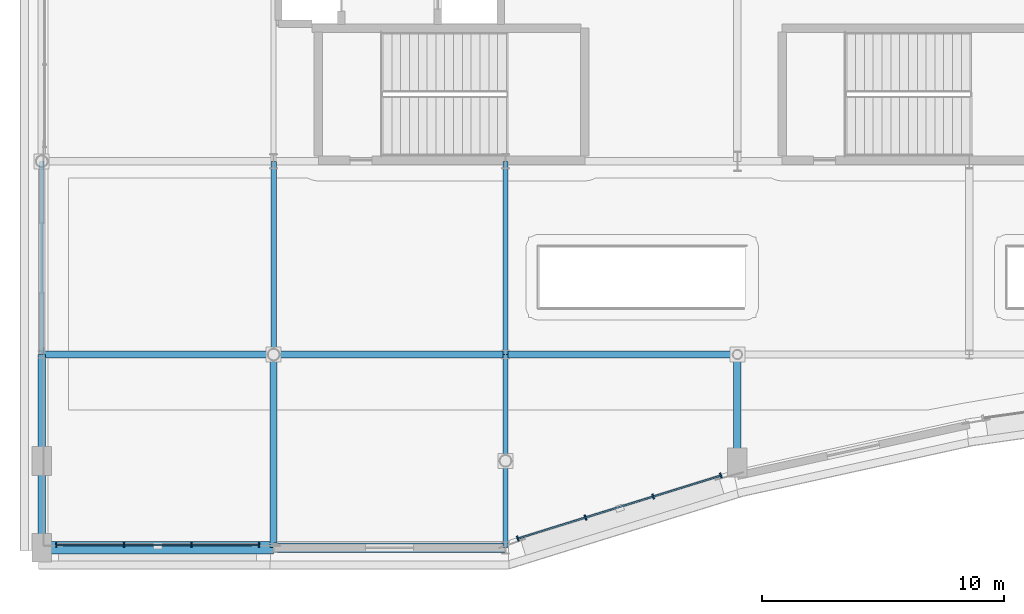
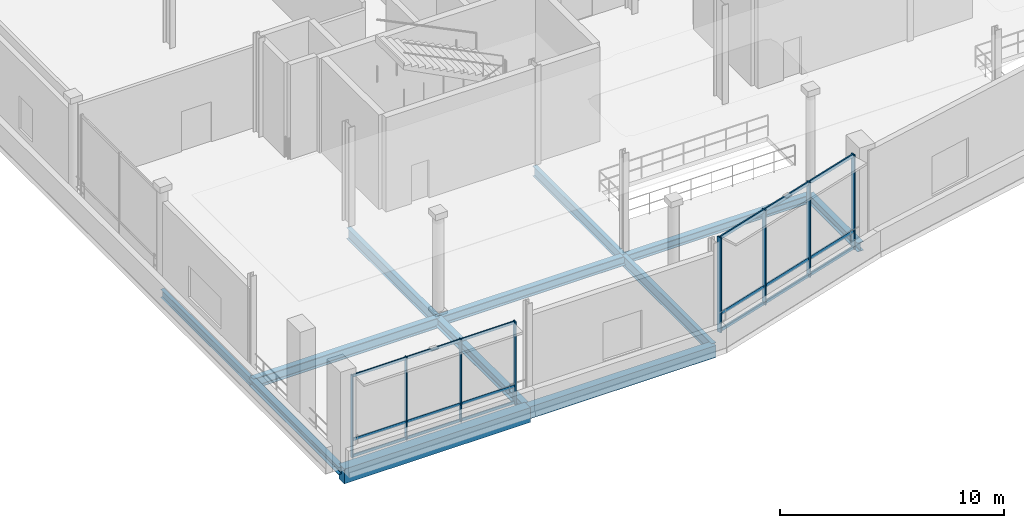
# One storey, part 27 of 129: 14 members, 12 beams, 2 elements without a shape of their own.
"""IFC4 building model written with IfcOpenShell, lengths in metres."""

from ifc_helpers import new_model, si_unit, direction, frame, origin, origin_2d, place, context, subcontext, project, spatial, rectangle, i_section, extrude, material, material_profile, profile_set, type_object, element, aggregate, save


model = new_model("IFC4")

# Units and contexts
model_context = context("Model", 3, precision=1e-05, world=origin(), true_north=direction((0.0, 1.0)))
body_context = subcontext(model_context, "Body", "Model", "MODEL_VIEW")
ifc_project = project(units=[si_unit("LENGTHUNIT", "METRE"), si_unit("AREAUNIT", "SQUARE_METRE"), si_unit("VOLUMEUNIT", "CUBIC_METRE"), si_unit("PLANEANGLEUNIT", "RADIAN"), si_unit("MASSUNIT", "GRAM", prefix="KILO")], contexts=[model_context])

# Site, building, storey
site_placement = place(None, origin())
site = spatial("IfcSite", under=ifc_project, at=site_placement, CompositionType="ELEMENT")
building_placement = place(site_placement, origin())
building = spatial("IfcBuilding", under=site, at=building_placement, Name="Danafjord Basin Convention Centre", CompositionType="ELEMENT")
storey_placement = place(building_placement, frame((0.0, 0.0, 6.0)))
storey = spatial("IfcBuildingStorey", under=building, at=storey_placement, Name="L01", CompositionType="ELEMENT", Elevation=6.0)

# Beams
ifc_material_1 = material(Name="Steel S355", Category="steel")
ifc_material_profile_1 = material_profile(ifc_material_1, i_section(OverallWidth=0.300048828125, OverallDepth=0.489990234375, WebThickness=0.011962890625, FlangeThickness=0.02294921875, FilletRadius=0.027099609375, at=origin_2d()), Name="HEA 500")
ifc_profile_set_1 = profile_set([ifc_material_profile_1], Name="Steel S355")
beam_type_1 = type_object("IfcBeamType", Name="BEAM-BM-HEA500", PredefinedType="BEAM", material=ifc_profile_set_1)
beam_1_placement = place(storey_placement, frame((28.800048828125, 3.530029296875, -0.47509765625), z_axis=(0.0, 1.0, 0.0), x_axis=(-1.0, 0.0, 0.0)))
element("IfcBeam", 1, at=beam_1_placement, inside=storey, type_object=beam_type_1, Name="L01 radial harbour arc girder", PredefinedType="BEAM", context=body_context, shape_type="SweptSolid", body=[
    extrude(i_section(OverallWidth=0.300048828125, OverallDepth=0.489990234375, WebThickness=0.011962890625, FlangeThickness=0.02294921875, FilletRadius=0.027099609375, at=origin_2d()), origin(), (0.0, 0.0, 1.0), 4.469970703125),
])
ifc_material_profile_2 = material_profile(ifc_material_1, i_section(OverallWidth=0.300048828125, OverallDepth=0.449951171875, WebThickness=0.013916015625, FlangeThickness=0.02587890625, FilletRadius=0.027099609375, at=origin_2d()), Name="HEB 450")
ifc_profile_set_2 = profile_set([ifc_material_profile_2], Name="Steel S355")
beam_type_2 = type_object("IfcBeamType", Name="BEAM-BM-HEB450", PredefinedType="BEAM", material=ifc_profile_set_2)
beam_2_placement = place(storey_placement, frame((19.199951171875, 8.0, -0.455078125), z_axis=(1.0, 0.0, 0.0), x_axis=(0.0, 1.0, 0.0)))
element("IfcBeam", 2, at=beam_2_placement, inside=storey, type_object=beam_type_2, Name="L01 girder BM-HEB450", PredefinedType="BEAM", context=body_context, shape_type="SweptSolid", body=[
    extrude(i_section(OverallWidth=0.300048828125, OverallDepth=0.449951171875, WebThickness=0.013916015625, FlangeThickness=0.02587890625, FilletRadius=0.027099609375, at=origin_2d()), origin(), (0.0, 0.0, 1.0), 9.60009765625),
])
ifc_material_profile_3 = material_profile(ifc_material_1, i_section(OverallWidth=0.300048828125, OverallDepth=0.5, WebThickness=0.014404296875, FlangeThickness=0.028076171875, FilletRadius=0.027099609375, at=origin_2d()), Name="HEB 500")
ifc_profile_set_3 = profile_set([ifc_material_profile_3], Name="Steel S355")
beam_type_3 = type_object("IfcBeamType", Name="BEAM-BM-HEB500", PredefinedType="BEAM", material=ifc_profile_set_3)
beam_3_placement = place(storey_placement, frame((9.60009765625, 8.0, -0.47998046875), z_axis=(1.0, 0.0, 0.0), x_axis=(0.0, 1.0, 0.0)))
element("IfcBeam", 3, at=beam_3_placement, inside=storey, type_object=beam_type_3, Name="L01 girder BM-HEB500", PredefinedType="BEAM", context=body_context, shape_type="SweptSolid", body=[
    extrude(i_section(OverallWidth=0.300048828125, OverallDepth=0.5, WebThickness=0.014404296875, FlangeThickness=0.028076171875, FilletRadius=0.027099609375, at=origin_2d()), origin(), (0.0, 0.0, 1.0), 9.599853515625),
])
beam_4_placement = place(storey_placement, frame((9.60009765625, 0.0, -0.47998046875), z_axis=(0.0, 1.0, 0.0), x_axis=(-1.0, 0.0, 0.0)))
element("IfcBeam", 4, at=beam_4_placement, inside=storey, type_object=beam_type_3, Name="L01 transverse girder BM-HEB500", PredefinedType="BEAM", context=body_context, shape_type="SweptSolid", body=[
    extrude(i_section(OverallWidth=0.300048828125, OverallDepth=0.5, WebThickness=0.014404296875, FlangeThickness=0.028076171875, FilletRadius=0.027099609375, at=origin_2d()), origin(), (0.0, 0.0, 1.0), 8.0),
])
ifc_material_profile_4 = material_profile(ifc_material_1, i_section(OverallWidth=0.300048828125, OverallDepth=0.550048828125, WebThickness=0.014892578125, FlangeThickness=0.029052734375, FilletRadius=0.027099609375, at=origin_2d()), Name="HEB 550")
ifc_profile_set_4 = profile_set([ifc_material_profile_4], Name="Steel S355")
beam_type_4 = type_object("IfcBeamType", Name="BEAM-BM-HEB550", PredefinedType="BEAM", material=ifc_profile_set_4)
beam_5_placement = place(storey_placement, frame((0.0, 8.0, -0.5048828125), z_axis=(1.0, 0.0, 0.0), x_axis=(0.0, 1.0, 0.0)))
element("IfcBeam", 5, at=beam_5_placement, inside=storey, type_object=beam_type_4, Name="L01 girder BM-HEB550", PredefinedType="BEAM", context=body_context, shape_type="SweptSolid", body=[
    extrude(i_section(OverallWidth=0.300048828125, OverallDepth=0.550048828125, WebThickness=0.014892578125, FlangeThickness=0.029052734375, FilletRadius=0.027099609375, at=origin_2d()), origin(), (0.0, 0.0, 1.0), 9.60009765625),
])
ifc_material_profile_5 = material_profile(ifc_material_1, i_section(OverallWidth=0.2099609375, OverallDepth=0.550048828125, WebThickness=0.010986328125, FlangeThickness=0.01708984375, FilletRadius=0.02392578125, at=origin_2d()), Name="IPE 550")
ifc_profile_set_5 = profile_set([ifc_material_profile_5], Name="Steel S355")
beam_type_5 = type_object("IfcBeamType", Name="BEAM-BM-IPE550", PredefinedType="BEAM", material=ifc_profile_set_5)
beam_6_placement = place(storey_placement, frame((19.199951171875, 8.0, -0.5048828125), z_axis=(0.0, 1.0, 0.0), x_axis=(-1.0, 0.0, 0.0)))
element("IfcBeam", 6, at=beam_6_placement, inside=storey, type_object=beam_type_5, Name="L01 transverse girder BM-IPE550", PredefinedType="BEAM", context=body_context, shape_type="SweptSolid", body=[
    extrude(i_section(OverallWidth=0.2099609375, OverallDepth=0.550048828125, WebThickness=0.010986328125, FlangeThickness=0.01708984375, FilletRadius=0.02392578125, at=origin_2d()), origin(), (0.0, 0.0, 1.0), 8.0),
])
ifc_material_profile_6 = material_profile(ifc_material_1, i_section(OverallWidth=0.219970703125, OverallDepth=0.60009765625, WebThickness=0.011962890625, FlangeThickness=0.01904296875, FilletRadius=0.02392578125, at=origin_2d()), Name="IPE 600")
ifc_profile_set_6 = profile_set([ifc_material_profile_6], Name="Steel S355")
beam_type_6 = type_object("IfcBeamType", Name="BEAM-BM-IPE600", PredefinedType="BEAM", material=ifc_profile_set_6)
for number, where, z_axis, x_axis, name in (
    (7, (9.60009765625, 8.0, -0.530029296875), (0.0, 1.0, 0.0), (-1.0, 0.0, 0.0), "L01 transverse girder BM-IPE600"),
    (8, (19.199951171875, 0.0, -0.530029296875), (0.0, 1.0, 0.0), (-1.0, 0.0, 0.0), "L01 transverse girder BM-IPE600"),
):
    element("IfcBeam", number, at=place(storey_placement, frame(where, z_axis=z_axis, x_axis=x_axis)), inside=storey, type_object=beam_type_6, Name=name, PredefinedType="BEAM", context=body_context, shape_type="SweptSolid", body=[
        extrude(i_section(OverallWidth=0.219970703125, OverallDepth=0.60009765625, WebThickness=0.011962890625, FlangeThickness=0.01904296875, FilletRadius=0.02392578125, at=origin_2d()), origin(), (0.0, 0.0, 1.0), 8.0),
    ])
ifc_material_profile_7 = material_profile(ifc_material_1, i_section(OverallWidth=0.300048828125, OverallDepth=0.39990234375, WebThickness=0.013427734375, FlangeThickness=0.02392578125, FilletRadius=0.027099609375, at=origin_2d()), Name="HEB 400")
ifc_profile_set_7 = profile_set([ifc_material_profile_7], Name="Steel S355")
beam_type_7 = type_object("IfcBeamType", Name="BEAM-SP-HEB400", PredefinedType="SPANDREL", material=ifc_profile_set_7)
beam_7_placement = place(storey_placement, frame((0.0, 0.0, -0.429931640625), z_axis=(0.0, 1.0, 0.0), x_axis=(-1.0, 0.0, 0.0)))
element("IfcBeam", 9, at=beam_7_placement, inside=storey, type_object=beam_type_7, Name="L01 transverse girder SP-HEB400", PredefinedType="SPANDREL", context=body_context, shape_type="SweptSolid", body=[
    extrude(i_section(OverallWidth=0.300048828125, OverallDepth=0.39990234375, WebThickness=0.013427734375, FlangeThickness=0.02392578125, FilletRadius=0.027099609375, at=origin_2d()), origin(), (0.0, 0.0, 1.0), 8.0),
])
ifc_material_profile_8 = material_profile(ifc_material_1, i_section(OverallWidth=0.18994140625, OverallDepth=0.449951171875, WebThickness=0.009521484375, FlangeThickness=0.0146484375, FilletRadius=0.02099609375, at=origin_2d()), Name="IPE 450")
ifc_profile_set_8 = profile_set([ifc_material_profile_8], Name="Steel S355")
beam_type_8 = type_object("IfcBeamType", Name="BEAM-SP-IPE450", PredefinedType="SPANDREL", material=ifc_profile_set_8)
beam_8_placement = place(storey_placement, frame((0.0, 8.0, -0.455078125), z_axis=(0.0, 1.0, 0.0), x_axis=(-1.0, 0.0, 0.0)))
element("IfcBeam", 10, at=beam_8_placement, inside=storey, type_object=beam_type_8, Name="L01 transverse girder SP-IPE450", PredefinedType="SPANDREL", context=body_context, shape_type="SweptSolid", body=[
    extrude(i_section(OverallWidth=0.18994140625, OverallDepth=0.449951171875, WebThickness=0.009521484375, FlangeThickness=0.0146484375, FilletRadius=0.02099609375, at=origin_2d()), origin(), (0.0, 0.0, 1.0), 8.0),
])
ifc_material_2 = material(Name="Precast concrete C45/55", Category="concrete")
ifc_material_profile_9 = material_profile(ifc_material_2, rectangle(XDim=0.39990234375, YDim=0.64990234375, at=origin_2d()), Name="PCB 400x650")
ifc_profile_set_9 = profile_set([ifc_material_profile_9], Name="Precast concrete C45/55")
beam_type_9 = type_object("IfcBeamType", Name="BEAM-SP-PCB650", PredefinedType="SPANDREL", material=ifc_profile_set_9)
beam_9_placement = place(storey_placement, frame((9.60009765625, 0.0, -0.554931640625), z_axis=(1.0, 0.0, 0.0), x_axis=(0.0, 1.0, 0.0)))
element("IfcBeam", 11, at=beam_9_placement, inside=storey, type_object=beam_type_9, Name="L01 girder SP-PCB650", PredefinedType="SPANDREL", context=body_context, shape_type="SweptSolid", body=[
    extrude(rectangle(XDim=0.39990234375, YDim=0.64990234375, at=origin_2d()), origin(), (0.0, 0.0, 1.0), 9.599853515625),
])
ifc_material_profile_10 = material_profile(ifc_material_2, rectangle(XDim=0.5, YDim=0.800048828125, at=origin_2d()), Name="PCB 500x800")
ifc_profile_set_10 = profile_set([ifc_material_profile_10], Name="Precast concrete C45/55")
beam_type_10 = type_object("IfcBeamType", Name="BEAM-SP-PCB800", PredefinedType="SPANDREL", material=ifc_profile_set_10)
beam_10_placement = place(storey_placement, frame((0.0, 0.0, -0.6298828125), z_axis=(1.0, 0.0, 0.0), x_axis=(0.0, 1.0, 0.0)))
element("IfcBeam", 12, at=beam_10_placement, inside=storey, type_object=beam_type_10, Name="L01 girder SP-PCB800", PredefinedType="SPANDREL", context=body_context, shape_type="SweptSolid", body=[
    extrude(rectangle(XDim=0.5, YDim=0.800048828125, at=origin_2d()), origin(), (0.0, 0.0, 1.0), 9.60009765625),
])

# Curtain wall, members
ifc_material_3 = material(Name="Anodised aluminium and triple glazing", Category="aluminium")
curtain_wall_type = type_object("IfcCurtainWallType", Name="CW-CW-HARB", PredefinedType="NOTDEFINED", material=ifc_material_3)
curtain_wall_1_placement = place(storey_placement, origin())
curtain_wall_1 = element("IfcCurtainWall", 13, at=curtain_wall_1_placement, inside=storey, type_object=curtain_wall_type, Name="L01 CW-HARB unitised curtain wall bay 16", PredefinedType="NOTDEFINED")
ifc_material_4 = material(Name="Anodised aluminium EN AW-6060", Category="aluminium")
ifc_material_profile_11 = material_profile(ifc_material_4, rectangle(XDim=0.06005859375, YDim=0.179931640625, at=origin_2d()), Name="MULL 60x180")
ifc_profile_set_11 = profile_set([ifc_material_profile_11], Name="Anodised aluminium EN AW-6060")
member_type_1 = type_object("IfcMemberType", Name="MEM-ML-180", PredefinedType="MULLION", material=ifc_profile_set_11)
member_1_placement = place(storey_placement, frame((0.60009765625, 0.1201171875, -0.02490234375), z_axis=(0.0, 0.0, 1.0), x_axis=(1.0, 0.0, 0.0)))
member_1 = element("IfcMember", 14, at=member_1_placement, type_object=member_type_1, Name="CW-L01-016 mullion 1", PredefinedType="MULLION", context=body_context, shape_type="SweptSolid", body=[
    extrude(rectangle(XDim=0.06005859375, YDim=0.179931640625, at=origin_2d()), origin(), (0.0, 0.0, 1.0), 4.514892578125),
])
member_2_placement = place(storey_placement, frame((3.39990234375, 0.1201171875, -0.02490234375), z_axis=(0.0, 0.0, 1.0), x_axis=(1.0, 0.0, 0.0)))
member_2 = element("IfcMember", 15, at=member_2_placement, type_object=member_type_1, Name="CW-L01-016 mullion 2", PredefinedType="MULLION", context=body_context, shape_type="SweptSolid", body=[
    extrude(rectangle(XDim=0.06005859375, YDim=0.179931640625, at=origin_2d()), origin(), (0.0, 0.0, 1.0), 4.514892578125),
])
member_3_placement = place(storey_placement, frame((6.199951171875, 0.1201171875, -0.02490234375), z_axis=(0.0, 0.0, 1.0), x_axis=(1.0, 0.0, 0.0)))
member_3 = element("IfcMember", 16, at=member_3_placement, type_object=member_type_1, Name="CW-L01-016 mullion 3", PredefinedType="MULLION", context=body_context, shape_type="SweptSolid", body=[
    extrude(rectangle(XDim=0.06005859375, YDim=0.179931640625, at=origin_2d()), origin(), (0.0, 0.0, 1.0), 4.514892578125),
])
member_4_placement = place(storey_placement, frame((9.0, 0.1201171875, -0.02490234375), z_axis=(0.0, 0.0, 1.0), x_axis=(1.0, 0.0, 0.0)))
member_4 = element("IfcMember", 17, at=member_4_placement, type_object=member_type_1, Name="CW-L01-016 mullion 4", PredefinedType="MULLION", context=body_context, shape_type="SweptSolid", body=[
    extrude(rectangle(XDim=0.06005859375, YDim=0.179931640625, at=origin_2d()), origin(), (0.0, 0.0, 1.0), 4.514892578125),
])

curtain_wall_2_placement = place(storey_placement, origin())
curtain_wall_2 = element("IfcCurtainWall", 18, at=curtain_wall_2_placement, inside=storey, type_object=curtain_wall_type, Name="L01 CW-HARB unitised curtain wall bay 17", PredefinedType="NOTDEFINED")
ifc_material_profile_12 = material_profile(ifc_material_4, rectangle(XDim=0.06494140625, YDim=0.219970703125, at=origin_2d()), Name="MULL 65x220")
ifc_profile_set_12 = profile_set([ifc_material_profile_12], Name="Anodised aluminium EN AW-6060")
member_type_2 = type_object("IfcMemberType", Name="MEM-ML-220", PredefinedType="MULLION", material=ifc_profile_set_12)
member_5_placement = place(storey_placement, frame((19.710205078125, 0.38037109375, -0.02490234375), z_axis=(0.0, 0.0, 1.0), x_axis=(0.955044712757, 0.296461796249, 0.0)))
member_5 = element("IfcMember", 19, at=member_5_placement, type_object=member_type_2, Name="CW-L01-017 mullion 1", PredefinedType="MULLION", context=body_context, shape_type="SweptSolid", body=[
    extrude(rectangle(XDim=0.06494140625, YDim=0.219970703125, at=origin_2d()), origin(), (0.0, 0.0, 1.0), 5.184814453125),
])
member_6_placement = place(storey_placement, frame((22.51220703125, 1.250244140625, -0.02490234375), z_axis=(0.0, 0.0, 1.0), x_axis=(0.955044712757, 0.296461796249, 0.0)))
member_6 = element("IfcMember", 20, at=member_6_placement, type_object=member_type_2, Name="CW-L01-017 mullion 2", PredefinedType="MULLION", context=body_context, shape_type="SweptSolid", body=[
    extrude(rectangle(XDim=0.06494140625, YDim=0.219970703125, at=origin_2d()), origin(), (0.0, 0.0, 1.0), 5.184814453125),
])
member_7_placement = place(storey_placement, frame((25.314208984375, 2.1201171875, -0.02490234375), z_axis=(0.0, 0.0, 1.0), x_axis=(0.955044712757, 0.296461796249, 0.0)))
member_7 = element("IfcMember", 21, at=member_7_placement, type_object=member_type_2, Name="CW-L01-017 mullion 3", PredefinedType="MULLION", context=body_context, shape_type="SweptSolid", body=[
    extrude(rectangle(XDim=0.06494140625, YDim=0.219970703125, at=origin_2d()), origin(), (0.0, 0.0, 1.0), 5.184814453125),
])
member_8_placement = place(storey_placement, frame((28.116455078125, 2.98974609375, -0.02490234375), z_axis=(0.0, 0.0, 1.0), x_axis=(0.955044712757, 0.296461796249, 0.0)))
member_8 = element("IfcMember", 22, at=member_8_placement, type_object=member_type_2, Name="CW-L01-017 mullion 4", PredefinedType="MULLION", context=body_context, shape_type="SweptSolid", body=[
    extrude(rectangle(XDim=0.06494140625, YDim=0.219970703125, at=origin_2d()), origin(), (0.0, 0.0, 1.0), 5.184814453125),
])

# Member
ifc_material_profile_13 = material_profile(ifc_material_4, rectangle(XDim=0.06005859375, YDim=0.14990234375, at=origin_2d()), Name="TRAN 60x150")
ifc_profile_set_13 = profile_set([ifc_material_profile_13], Name="Anodised aluminium EN AW-6060")
member_type_3 = type_object("IfcMemberType", Name="MEM-TR-150", PredefinedType="USERDEFINED", material=ifc_profile_set_13)
member_9_placement = place(storey_placement, frame((0.60009765625, 0.1201171875, 0.06005859375), z_axis=(1.0, 0.0, 0.0), x_axis=(0.0, 1.0, 0.0)))
member_9 = element("IfcMember", 23, at=member_9_placement, type_object=member_type_3, Name="CW-L01-016 transom 1", ObjectType="TRANSOM", PredefinedType="USERDEFINED", context=body_context, shape_type="SweptSolid", body=[
    extrude(rectangle(XDim=0.06005859375, YDim=0.14990234375, at=origin_2d()), origin(), (0.0, 0.0, 1.0), 8.39990234375),
])

member_10_placement = place(storey_placement, frame((0.60009765625, 0.1201171875, 0.949951171875), z_axis=(1.0, 0.0, 0.0), x_axis=(0.0, 1.0, 0.0)))
member_10 = element("IfcMember", 24, at=member_10_placement, type_object=member_type_3, Name="CW-L01-016 transom 2", ObjectType="TRANSOM", PredefinedType="USERDEFINED", context=body_context, shape_type="SweptSolid", body=[
    extrude(rectangle(XDim=0.06005859375, YDim=0.14990234375, at=origin_2d()), origin(), (0.0, 0.0, 1.0), 8.39990234375),
])

member_11_placement = place(storey_placement, frame((0.60009765625, 0.1201171875, 4.419921875), z_axis=(1.0, 0.0, 0.0), x_axis=(0.0, 1.0, 0.0)))
member_11 = element("IfcMember", 25, at=member_11_placement, type_object=member_type_3, Name="CW-L01-016 transom 3", ObjectType="TRANSOM", PredefinedType="USERDEFINED", context=body_context, shape_type="SweptSolid", body=[
    extrude(rectangle(XDim=0.06005859375, YDim=0.14990234375, at=origin_2d()), origin(), (0.0, 0.0, 1.0), 8.39990234375),
])

aggregate(curtain_wall_1, [member_1, member_2, member_3, member_4, member_9, member_10, member_11])

ifc_material_profile_14 = material_profile(ifc_material_4, rectangle(XDim=0.06494140625, YDim=0.18994140625, at=origin_2d()), Name="TRAN 65x190")
ifc_profile_set_14 = profile_set([ifc_material_profile_14], Name="Anodised aluminium EN AW-6060")
member_type_4 = type_object("IfcMemberType", Name="MEM-TR-190", PredefinedType="USERDEFINED", material=ifc_profile_set_14)
member_12_placement = place(storey_placement, frame((19.710205078125, 0.38037109375, 0.06005859375), z_axis=(0.955046806958, 0.296455049744, 0.0), x_axis=(-0.296455049744, 0.955046806958, 0.0)))
member_12 = element("IfcMember", 26, at=member_12_placement, type_object=member_type_4, Name="CW-L01-017 transom 1", ObjectType="TRANSOM", PredefinedType="USERDEFINED", context=body_context, shape_type="SweptSolid", body=[
    extrude(rectangle(XDim=0.06494140625, YDim=0.18994140625, at=origin_2d()), origin(), (0.0, 0.0, 1.0), 8.802001953125),
])

member_13_placement = place(storey_placement, frame((19.710205078125, 0.38037109375, 0.949951171875), z_axis=(0.955046806958, 0.296455049744, 0.0), x_axis=(-0.296455049744, 0.955046806958, 0.0)))
member_13 = element("IfcMember", 27, at=member_13_placement, type_object=member_type_4, Name="CW-L01-017 transom 2", ObjectType="TRANSOM", PredefinedType="USERDEFINED", context=body_context, shape_type="SweptSolid", body=[
    extrude(rectangle(XDim=0.06494140625, YDim=0.18994140625, at=origin_2d()), origin(), (0.0, 0.0, 1.0), 8.802001953125),
])

member_14_placement = place(storey_placement, frame((19.710205078125, 0.38037109375, 5.090087890625), z_axis=(0.955046806958, 0.296455049744, 0.0), x_axis=(-0.296455049744, 0.955046806958, 0.0)))
member_14 = element("IfcMember", 28, at=member_14_placement, type_object=member_type_4, Name="CW-L01-017 transom 3", ObjectType="TRANSOM", PredefinedType="USERDEFINED", context=body_context, shape_type="SweptSolid", body=[
    extrude(rectangle(XDim=0.06494140625, YDim=0.18994140625, at=origin_2d()), origin(), (0.0, 0.0, 1.0), 8.802001953125),
])

aggregate(curtain_wall_2, [member_5, member_6, member_7, member_8, member_12, member_13, member_14])

save(model, "model.ifc")
